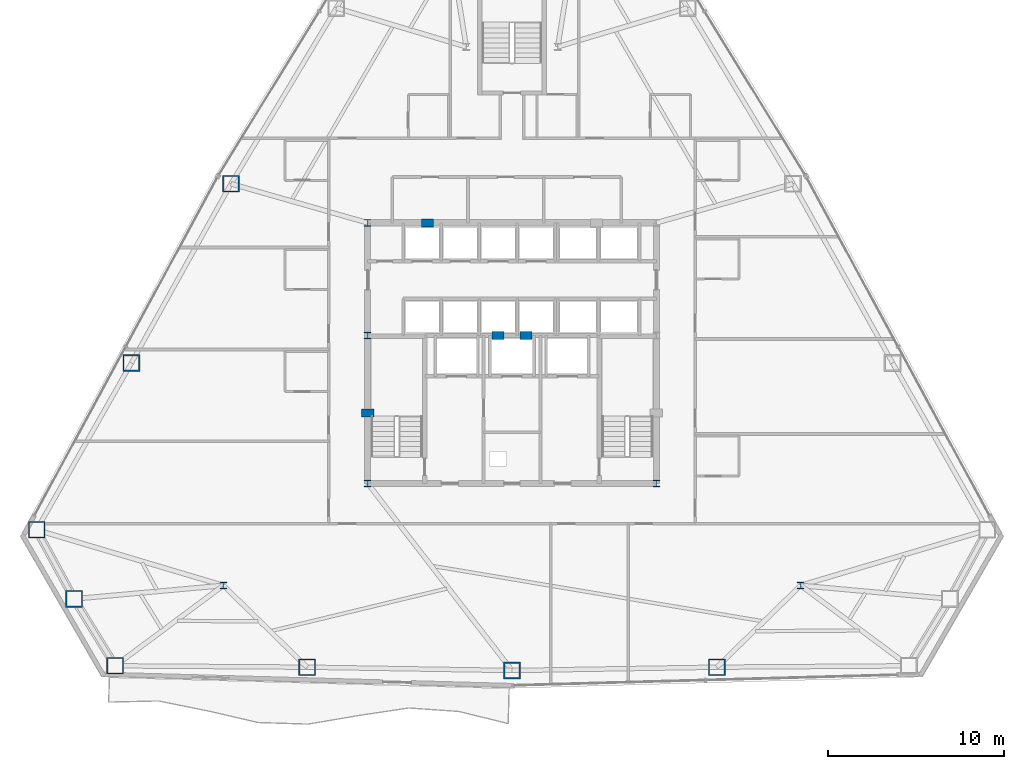
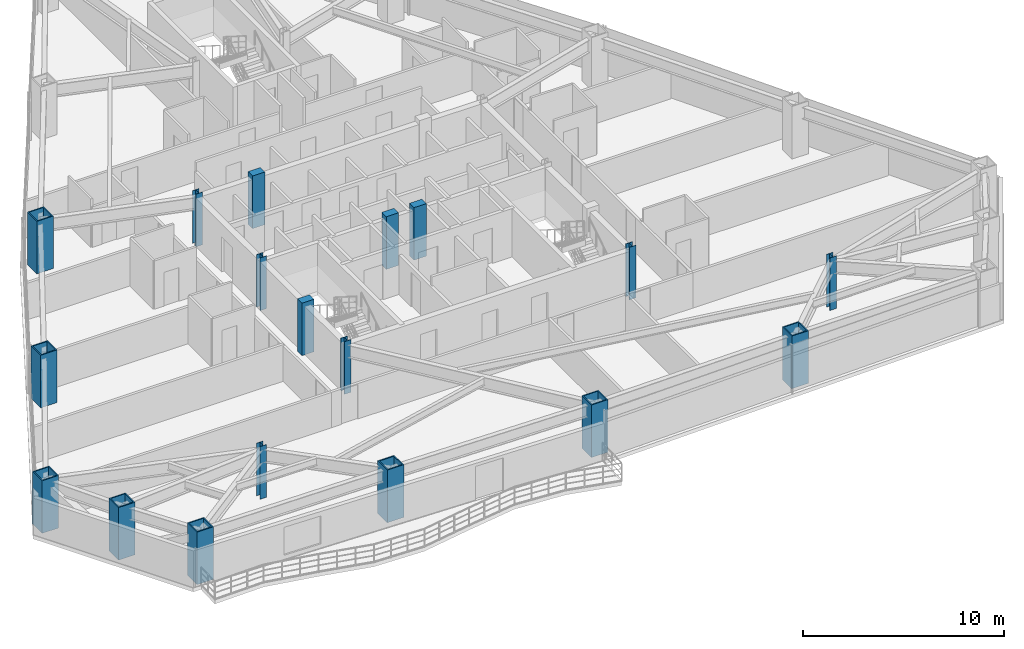
# One storey, part 1 of 13: 18 columns.
"""IFC4 building model written with IfcOpenShell, lengths in metres."""

from ifc_helpers import new_model, si_unit, direction, frame, origin, origin_2d, place, context, subcontext, project, spatial, rectangle, hollow_rectangle, i_section, extrude, material, material_profile, profile_set, type_object, element, save


model = new_model("IFC4")

# Units and contexts
model_context = context("Model", 3, precision=1e-05, world=origin(), true_north=direction((0.0, 1.0)))
body_context = subcontext(model_context, "Body", "Model", "MODEL_VIEW")
ifc_project = project(units=[si_unit("LENGTHUNIT", "METRE"), si_unit("AREAUNIT", "SQUARE_METRE"), si_unit("VOLUMEUNIT", "CUBIC_METRE"), si_unit("PLANEANGLEUNIT", "RADIAN"), si_unit("MASSUNIT", "GRAM", prefix="KILO")], contexts=[model_context])

# Site, building, storey
site_placement = place(None, origin())
site = spatial("IfcSite", under=ifc_project, at=site_placement, CompositionType="ELEMENT")
building_placement = place(site_placement, origin())
building = spatial("IfcBuilding", under=site, at=building_placement, Name="Varakhsha Concourse Tower", CompositionType="ELEMENT")
storey_placement = place(building_placement, frame((0.0, 0.0, 108.60009765625)))
storey = spatial("IfcBuildingStorey", under=building, at=storey_placement, Name="L31", CompositionType="ELEMENT", Elevation=108.60009765625)

# Columns
ifc_material_1 = material(Name="Structural Steel ASTM A992 Grade 50", Category="steel")
ifc_material_profile_1 = material_profile(ifc_material_1, i_section(OverallWidth=0.3740234375, OverallDepth=0.3720703125, WebThickness=0.01611328125, FlangeThickness=0.02587890625, at=origin_2d()), Name="W14X132")
ifc_profile_set_1 = profile_set([ifc_material_profile_1], Name="Structural Steel ASTM A992 Grade 50")
column_type_1 = type_object("IfcColumnType", Name="CL-CORE-W14X132", PredefinedType="COLUMN", material=ifc_profile_set_1)
for number, where, z_axis, x_axis, name in (
    (1, (31.800048828125, 16.39990234375, 0.0), (0.0, 0.0, 1.0), (1.0, 0.0, 0.0), "L31 Core Column CC-SW"),
    (2, (48.199951171875, 16.39990234375, 0.0), (0.0, 0.0, 1.0), (1.0, 0.0, 0.0), "L31 Core Column CC-SE"),
    (3, (31.800048828125, 24.800048828125, 0.0), (0.0, 0.0, 1.0), (1.0, 0.0, 0.0), "L31 Core Column CC-MW"),
    (4, (31.800048828125, 31.199951171875, 0.0), (0.0, 0.0, 1.0), (1.0, 0.0, 0.0), "L31 Core Column CC-NW"),
    (5, (23.60009765625, 10.60009765625, 0.0), (0.0, 0.0, 1.0), (1.0, 0.0, 0.0), "L31 Core Column SS-W"),
    (6, (56.39990234375, 10.60009765625, 0.0), (0.0, 0.0, 1.0), (1.0, 0.0, 0.0), "L31 Core Column SS-E"),
):
    element("IfcColumn", number, at=place(storey_placement, frame(where, z_axis=z_axis, x_axis=x_axis)), inside=storey, type_object=column_type_1, Name=name, PredefinedType="COLUMN", context=body_context, shape_type="SweptSolid", body=[
        extrude(i_section(OverallWidth=0.3740234375, OverallDepth=0.3720703125, WebThickness=0.01611328125, FlangeThickness=0.02587890625, at=origin_2d()), origin(), (0.0, 0.0, 1.0), 3.199951171875),
    ])
ifc_material_2 = material(Name="Concrete fc 65 MPa", Category="concrete")
ifc_material_profile_2 = material_profile(ifc_material_2, rectangle(XDim=0.699951171875, YDim=0.449951171875, at=origin_2d()), Name="RC 700x450")
ifc_profile_set_2 = profile_set([ifc_material_profile_2], Name="Concrete fc 65 MPa")
column_type_2 = type_object("IfcColumnType", Name="CL-PIL-700X450", PredefinedType="PILASTER", material=ifc_profile_set_2)
for number, where, z_axis, x_axis, name in (
    (7, (31.800048828125, 20.39990234375, 0.0), (0.0, 0.0, 1.0), (1.0, 0.0, 0.0), "L31 Core Boundary Pilaster PIL-W1"),
    (8, (35.199951171875, 31.199951171875, 0.0), (0.0, 0.0, 1.0), (1.0, 0.0, 0.0), "L31 Core Boundary Pilaster PIL-N1"),
    (9, (39.199951171875, 24.800048828125, 0.0), (0.0, 0.0, 1.0), (1.0, 0.0, 0.0), "L31 Core Boundary Pilaster PIL-M1"),
    (10, (40.800048828125, 24.800048828125, 0.0), (0.0, 0.0, 1.0), (1.0, 0.0, 0.0), "L31 Core Boundary Pilaster PIL-M2"),
):
    element("IfcColumn", number, at=place(storey_placement, frame(where, z_axis=z_axis, x_axis=x_axis)), inside=storey, type_object=column_type_2, Name=name, PredefinedType="PILASTER", context=body_context, shape_type="SweptSolid", body=[
        extrude(rectangle(XDim=0.699951171875, YDim=0.449951171875, at=origin_2d()), origin(), (0.0, 0.0, 1.0), 3.199951171875),
    ])
ifc_material_3 = material(Name="Structural Steel ASTM A572 Grade 50", Category="steel")
ifc_material_profile_3 = material_profile(ifc_material_3, hollow_rectangle(XDim=0.949951171875, YDim=0.949951171875, WallThickness=0.06494140625, at=origin_2d()), Name="BOX 950x950x65")
ifc_profile_set_3 = profile_set([ifc_material_profile_3], Name="Structural Steel ASTM A572 Grade 50")
column_type_3 = type_object("IfcColumnType", Name="CL-TUBE-950", PredefinedType="COLUMN", material=ifc_profile_set_3)
for number, where, z_axis, x_axis, name in (
    (11, (24.038330078125, 33.41552734375, 0.0), (0.0, 0.0, 1.0), (1.0, 0.0, 0.0), "L31 Framed-Tube Column TC05"),
    (12, (18.380615234375, 23.238037109375, 0.0), (0.0, 0.0, 1.0), (1.0, 0.0, 0.0), "L31 Framed-Tube Column TC06"),
    (13, (12.99560546875, 13.757080078125, 0.0), (0.0, 0.0, 1.0), (1.0, 0.0, 0.0), "L31 Framed-Tube Column TC07"),
    (14, (15.12109375, 9.836181640625, 0.0), (0.0, 0.0, 1.0), (1.0, 0.0, 0.0), "L31 Framed-Tube Column TC08"),
    (15, (17.4541015625, 6.034912109375, 0.0), (0.0, 0.0, 1.0), (1.0, 0.0, 0.0), "L31 Framed-Tube Column TC09"),
    (16, (28.357177734375, 5.958251953125, 0.0), (0.0, 0.0, 1.0), (1.0, 0.0, 0.0), "L31 Framed-Tube Column TC10"),
    (17, (40.0, 5.76904296875, 0.0), (0.0, 0.0, 1.0), (1.0, 0.0, 0.0), "L31 Framed-Tube Column TC11"),
    (18, (51.642822265625, 5.958251953125, 0.0), (0.0, 0.0, 1.0), (1.0, 0.0, 0.0), "L31 Framed-Tube Column TC12"),
):
    element("IfcColumn", number, at=place(storey_placement, frame(where, z_axis=z_axis, x_axis=x_axis)), inside=storey, type_object=column_type_3, Name=name, PredefinedType="COLUMN", context=body_context, shape_type="SweptSolid", body=[
        extrude(hollow_rectangle(XDim=0.949951171875, YDim=0.949951171875, WallThickness=0.06494140625, at=origin_2d()), origin(), (0.0, 0.0, 1.0), 3.199951171875),
    ])

save(model, "model.ifc")
